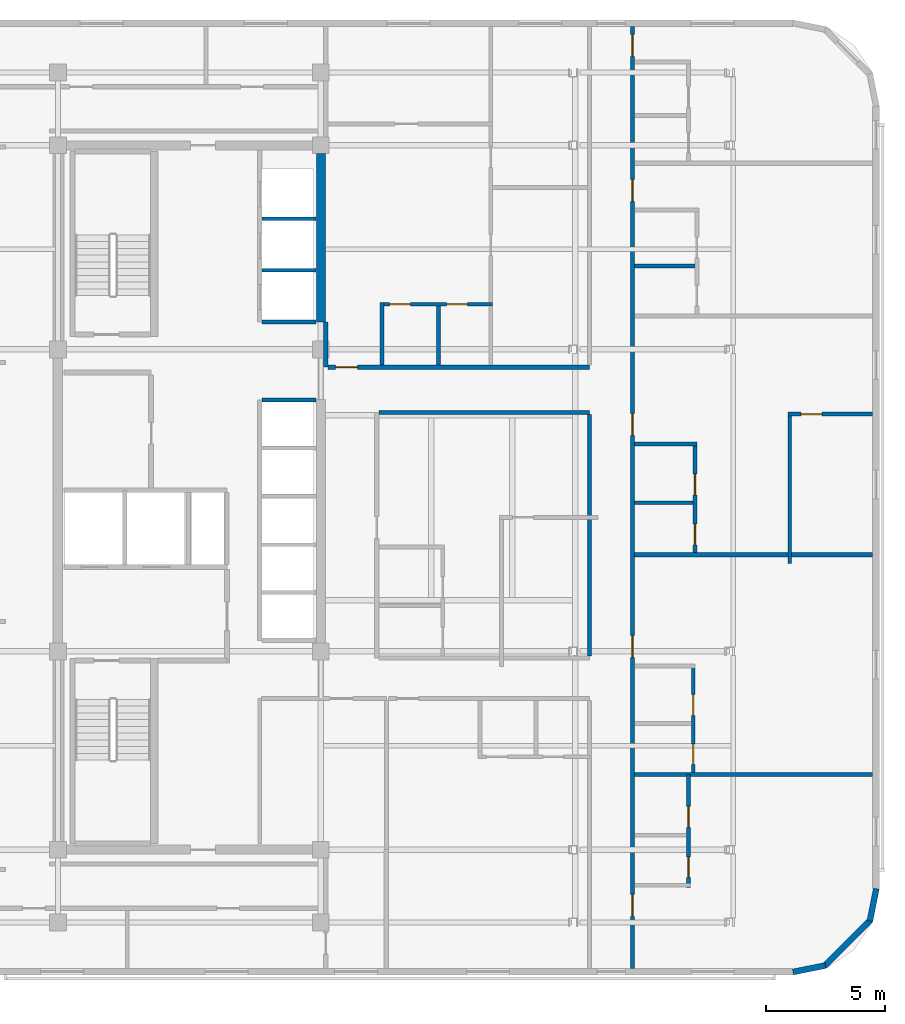
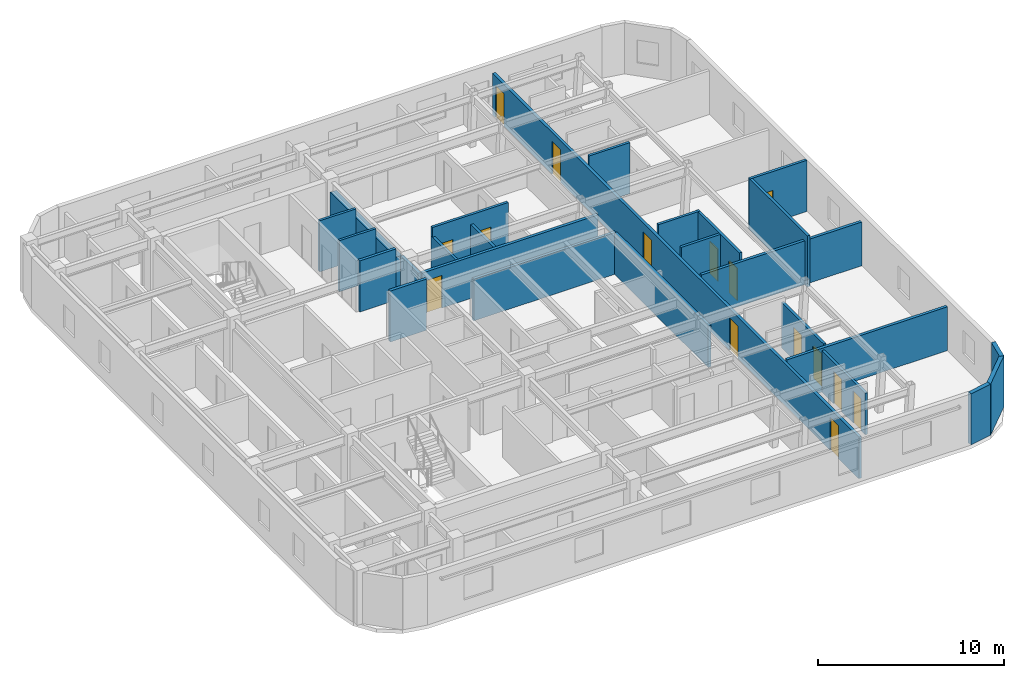
# One storey, part 5 of 10: 26 walls, 15 doors, 15 openings.
"""IFC4 building model written with IfcOpenShell, lengths in metres."""

import ifcopenshell
import ifcopenshell.guid

model = None  # the IFC model being written
_history = None  # IfcOwnerHistory: only IFC2X3 demands one
_inside = {}  # id of a spatial element -> (the spatial element, [elements in it])
_under = {}  # id of a project, library or spatial element -> (it, [spatial elements below it])
_declared = {}  # id of a project -> (the project, [libraries it declares])
_typed = {}  # id of a type object -> (the type object, [elements of that type])
_made_of = {}  # id of a material, layer set ... -> (it, [elements and type objects made of it])


def new_model(schema):
    """Start an empty IFC model of exactly this schema.

    Asked for "IFC4X3", IfcOpenShell would pick the latest addendum, in which some entities
    have other attributes; the version numbers below select the first issue.
    IFC2X3 requires an IfcOwnerHistory on every rooted entity: one is made here for all.
    """
    global model, _history
    if schema == "IFC4X3":
        model = ifcopenshell.file(schema_version=(4, 3, 0, 0))
    else:
        model = ifcopenshell.file(schema=schema)
    _inside.clear()
    _under.clear()
    _declared.clear()
    _typed.clear()
    _made_of.clear()
    _history = None
    if model.schema == "IFC2X3":
        org = make("IfcOrganization", Name="unknown")
        user = make(
            "IfcPersonAndOrganization",
            ThePerson=make("IfcPerson", FamilyName="unknown"),
            TheOrganization=org,
        )
        app = make(
            "IfcApplication",
            ApplicationDeveloper=org,
            Version="unknown",
            ApplicationFullName="unknown",
            ApplicationIdentifier="unknown",
        )
        _history = make(
            "IfcOwnerHistory",
            OwningUser=user,
            OwningApplication=app,
            ChangeAction="ADDED",
            CreationDate=0,
        )
    return model


def make(cls, **values):
    """One entity of the class cls with the attributes given. An attribute that is None is left unset."""
    return model.create_entity(
        cls, **{name: value for name, value in values.items() if value is not None}
    )


def rooted(cls, **values):
    """An entity with a GlobalId (a new one), such as an element, a storey or a relation."""
    return make(cls, GlobalId=ifcopenshell.guid.new(), OwnerHistory=_history, **values)


def si_unit(unit_type, name, prefix=None):
    """IfcSIUnit, for example si_unit("LENGTHUNIT", "METRE", prefix="MILLI")."""
    return make("IfcSIUnit", UnitType=unit_type, Prefix=prefix, Name=name)


def assignment(units):
    """IfcUnitAssignment: the units of a project."""
    return None if units is None else make("IfcUnitAssignment", Units=units)


def point(xyz):
    """IfcCartesianPoint."""
    return None if xyz is None else make("IfcCartesianPoint", Coordinates=xyz)


def direction(xyz):
    """IfcDirection."""
    return None if xyz is None else make("IfcDirection", DirectionRatios=xyz)


def frame(location, z_axis=None, x_axis=None):
    """IfcAxis2Placement3D, a coordinate frame: its origin and axes. An axis left out is left unset."""
    return make(
        "IfcAxis2Placement3D",
        Location=point(location),
        Axis=direction(z_axis),
        RefDirection=direction(x_axis),
    )


def frame_2d(location, x_axis=None):
    """IfcAxis2Placement2D, a coordinate frame in the plane: its origin and x axis."""
    return make(
        "IfcAxis2Placement2D", Location=point(location), RefDirection=direction(x_axis)
    )


def origin():
    """The frame at (0, 0, 0) with its axes left unset."""
    return frame((0.0, 0.0, 0.0))


def place(relative_to, where):
    """IfcLocalPlacement: puts the frame where relative to a parent placement (None: the world)."""
    return make(
        "IfcLocalPlacement", PlacementRelTo=relative_to, RelativePlacement=where
    )


def context(
    kind, dimensions, precision=None, world=None, true_north=None, identifier=None
):
    """IfcGeometricRepresentationContext, for example the 3D "Model" context."""
    return make(
        "IfcGeometricRepresentationContext",
        ContextIdentifier=identifier,
        ContextType=kind,
        CoordinateSpaceDimension=dimensions,
        Precision=precision,
        WorldCoordinateSystem=world,
        TrueNorth=true_north,
    )


def subcontext(parent, identifier, kind, view, scale=None):
    """IfcGeometricRepresentationSubContext, for example "Body" below "Model"."""
    return make(
        "IfcGeometricRepresentationSubContext",
        ContextIdentifier=identifier,
        ContextType=kind,
        ParentContext=parent,
        TargetScale=scale,
        TargetView=view,
    )


def project(units=None, contexts=None):
    """IfcProject with its units and contexts."""
    return rooted(
        "IfcProject",
        Name="project",
        RepresentationContexts=contexts,
        UnitsInContext=assignment(units),
    )


def spatial(cls, under=None, at=None, **own):
    """A site, building, storey or space (cls), placed at a placement, below another one or the project."""
    s = rooted(cls, ObjectPlacement=at, **own)
    if under is not None:
        _under.setdefault(under.id(), (under, []))[1].append(s)
    return s


def profile(cls, at=None, kind="AREA", **sizes):
    """A parametric profile (cls). Its sizes go by their IFC names, for example OverallWidth=200.0."""
    return make(cls, ProfileType=kind, Position=at, **sizes)


def rectangle(**sizes):
    """IfcRectangleProfileDef."""
    return profile("IfcRectangleProfileDef", **sizes)


def extrude(swept, where, along, depth):
    """IfcExtrudedAreaSolid: the profile swept, set in the frame where, extruded along a direction by depth."""
    return make(
        "IfcExtrudedAreaSolid",
        SweptArea=swept,
        Position=where,
        ExtrudedDirection=direction(along),
        Depth=depth,
    )


def shape(context_of_items, identifier, shape_type, items):
    """IfcShapeRepresentation: the items that make up one representation, for example the "Body"."""
    return make(
        "IfcShapeRepresentation",
        ContextOfItems=context_of_items,
        RepresentationIdentifier=identifier,
        RepresentationType=shape_type,
        Items=items,
    )


def material(Name=None, Category=None):
    """IfcMaterial."""
    return make("IfcMaterial", Name=Name, Category=Category)


def layer(
    of_material, thickness, ventilated=None, Name=None, Category=None, Priority=None
):
    """IfcMaterialLayer: one layer of a wall or slab, of a material (None: an air gap)."""
    return make(
        "IfcMaterialLayer",
        Material=of_material,
        LayerThickness=thickness,
        IsVentilated=ventilated,
        Name=Name,
        Category=Category,
        Priority=Priority,
    )


def layer_set(layers, Name=None):
    """IfcMaterialLayerSet."""
    return make("IfcMaterialLayerSet", MaterialLayers=layers, LayerSetName=Name)


def made_of(thing, what):
    """Note that an element or type object is made of a material, layer set ...; save() writes the relation."""
    if what is not None:
        _made_of.setdefault(what.id(), (what, []))[1].append(thing)
    return thing


def type_object(cls, material=None, **own):
    """A type object (cls), such as IfcWallType, which elements share."""
    return made_of(rooted(cls, **own), material)


def element(
    cls,
    number,
    at=None,
    inside=None,
    cuts=None,
    type_object=None,
    material=None,
    context=None,
    identifier="Body",
    shape_type=None,
    held_by="IfcProductDefinitionShape",
    body=None,
    shapes=None,
    **own,
):
    """One element of the class cls, such as IfcWall. Its Tag is "e" and its number.

    at: its placement. inside: the storey or other place that contains it. cuts: it is an
    opening in that element (IfcRelVoidsElement). A single representation is given by context,
    identifier, shape_type and body (its items); several are given by shapes. held_by: the class
    of the entity that holds the representations. save() writes the other relations.
    """
    e = rooted(cls, Tag="e%d" % number, ObjectPlacement=at, **own)
    if body is not None:
        shapes = [shape(context, identifier, shape_type, body)]
    if shapes is not None:
        e.Representation = make(held_by, Representations=shapes)
    if inside is not None:
        _inside.setdefault(inside.id(), (inside, []))[1].append(e)
    if cuts is not None:
        rooted(
            "IfcRelVoidsElement", RelatingBuildingElement=cuts, RelatedOpeningElement=e
        )
    if type_object is not None:
        _typed.setdefault(type_object.id(), (type_object, []))[1].append(e)
    return made_of(e, material)


def fill(opening, filler):
    """IfcRelFillsElement: the door or window that sits in an opening."""
    return rooted(
        "IfcRelFillsElement",
        RelatingOpeningElement=opening,
        RelatedBuildingElement=filler,
    )


def aggregate(whole, parts):
    """IfcRelAggregates: a whole, such as a stair, and the parts it consists of."""
    return rooted("IfcRelAggregates", RelatingObject=whole, RelatedObjects=parts)


def save(model, path):
    """Write the relations noted so far, then the file.

    IfcRelAggregates (storeys below a building ...), IfcRelContainedInSpatialStructure (elements
    in a storey), IfcRelDefinesByType, IfcRelAssociatesMaterial and IfcRelDeclares: one each for
    every whole, place, type object, material and project.
    """
    for whole, parts in _under.values():
        aggregate(whole, parts)
    for where, things in _inside.values():
        rooted(
            "IfcRelContainedInSpatialStructure",
            RelatedElements=things,
            RelatingStructure=where,
        )
    for kind, things in _typed.values():
        rooted("IfcRelDefinesByType", RelatedObjects=things, RelatingType=kind)
    for what, things in _made_of.values():
        rooted("IfcRelAssociatesMaterial", RelatedObjects=things, RelatingMaterial=what)
    for by, libraries in _declared.values():
        rooted("IfcRelDeclares", RelatingContext=by, RelatedDefinitions=libraries)
    model.write(path)


model = new_model("IFC4")

# Units and contexts
model_context = context("Model", 3, precision=1e-05, world=origin(), true_north=direction((0.0, 1.0)))
body_context = subcontext(model_context, "Body", "Model", "MODEL_VIEW")
ifc_project = project(units=[si_unit("LENGTHUNIT", "METRE"), si_unit("AREAUNIT", "SQUARE_METRE"), si_unit("VOLUMEUNIT", "CUBIC_METRE"), si_unit("PLANEANGLEUNIT", "RADIAN"), si_unit("MASSUNIT", "GRAM", prefix="KILO")], contexts=[model_context])

# Site, building, storey
site_placement = place(None, origin())
site = spatial("IfcSite", under=ifc_project, at=site_placement, CompositionType="ELEMENT")
building_placement = place(site_placement, origin())
building = spatial("IfcBuilding", under=site, at=building_placement, Name="Ochreholt Gables", CompositionType="ELEMENT")
storey_placement = place(building_placement, frame((0.0, 0.0, 166.199951171875)))
storey = spatial("IfcBuildingStorey", under=building, at=storey_placement, Name="L43", CompositionType="ELEMENT", Elevation=166.199951171875)

# Walls
ifc_material_1 = material(Name="Concrete 50 MPa", Category="concrete")
ifc_layer_1 = layer(ifc_material_1, 0.3798828125, Name="Concrete 50 MPa")
ifc_layer_set_1 = layer_set([ifc_layer_1], Name="Concrete 50 MPa")
wall_type_1 = type_object("IfcWallType", Name="WALL-CSW-380", PredefinedType="SHEAR", material=ifc_layer_set_1)
wall_1_placement = place(storey_placement, frame((35.2099609375, 31.35009765625, 0.0), z_axis=(0.0, 0.0, 1.0), x_axis=(0.0, 1.0, 0.0)))
element("IfcWall", 1, at=wall_1_placement, inside=storey, type_object=wall_type_1, Name="L43 Core North-East Shear Wall", PredefinedType="SHEAR", context=body_context, shape_type="SweptSolid", body=[
    extrude(rectangle(XDim=7.0498046875, YDim=0.3798828125, at=frame_2d((3.52490234375, 0.0))), origin(), (0.0, 0.0, 1.0), 2.748046875),
])
ifc_material_2 = material(Name="Precast concrete 40 MPa", Category="concrete")
ifc_layer_2 = layer(ifc_material_2, 0.25, Name="Precast concrete 40 MPa")
ifc_layer_set_2 = layer_set([ifc_layer_2], Name="Precast concrete 40 MPa")
wall_type_2 = type_object("IfcWallType", Name="WALL-EXT-CNR", PredefinedType="SOLIDWALL", material=ifc_layer_set_2)
wall_2_placement = place(storey_placement, frame((54.9833984375, 4.124267578125, 0.0), z_axis=(0.0, 0.0, 1.0), x_axis=(0.980809899341, 0.19496651342, 0.0)))
element("IfcWall", 2, at=wall_2_placement, inside=storey, type_object=wall_type_2, Name="L43 Rounded Corner Wall SE-1", PredefinedType="SOLIDWALL", context=body_context, shape_type="SweptSolid", body=[
    extrude(rectangle(XDim=1.388671875, YDim=0.25, at=frame_2d((0.6943359375, 0.0))), origin(), (0.0, 0.0, 1.0), 3.360107421875),
])
wall_3_placement = place(storey_placement, frame((56.294921875, 4.367919921875, 0.0), z_axis=(0.0, 0.0, 1.0), x_axis=(0.707106781187, 0.707106781187, 0.0)))
element("IfcWall", 3, at=wall_3_placement, inside=storey, type_object=wall_type_2, Name="L43 Rounded Corner Wall SE-2", PredefinedType="SOLIDWALL", context=body_context, shape_type="SweptSolid", body=[
    extrude(rectangle(XDim=2.7392578125, YDim=0.25, at=frame_2d((1.36962890625, 0.0))), origin(), (0.0, 0.0, 1.0), 3.360107421875),
])
wall_4_placement = place(storey_placement, frame((58.205078125, 6.25439453125, 0.0), z_axis=(0.0, 0.0, 1.0), x_axis=(0.19496651342, 0.980809899341, 0.0)))
element("IfcWall", 4, at=wall_4_placement, inside=storey, type_object=wall_type_2, Name="L43 Rounded Corner Wall SE-3", PredefinedType="SOLIDWALL", context=body_context, shape_type="SweptSolid", body=[
    extrude(rectangle(XDim=1.388671875, YDim=0.25, at=frame_2d((0.6943359375, 0.0))), origin(), (0.0, 0.0, 1.0), 3.360107421875),
])
ifc_material_3 = material(Name="Fire-Rated Gypsum Acoustic Partition", Category="gypsum")
ifc_layer_3 = layer(ifc_material_3, 0.179931640625, Name="Fire-Rated Gypsum Acoustic Partition")
ifc_layer_set_3 = layer_set([ifc_layer_3], Name="Fire-Rated Gypsum Acoustic Partition")
wall_type_3 = type_object("IfcWallType", Name="WALL-INT-CR180", PredefinedType="STANDARD", material=ifc_layer_set_3)
wall_5_placement = place(storey_placement, frame((37.639892578125, 27.56005859375, 0.0), z_axis=(0.0, 0.0, 1.0), x_axis=(1.0, 0.0, 0.0)))
element("IfcWall", 5, at=wall_5_placement, inside=storey, type_object=wall_type_3, Name="L43 Interior Wall WI-C2SN1-L43", PredefinedType="STANDARD", context=body_context, shape_type="SweptSolid", body=[
    extrude(rectangle(XDim=8.826171875, YDim=0.179931640625, at=frame_2d((4.4130859375, 0.0))), origin(), (0.0, 0.0, 1.0), 2.72998046875),
])
wall_6_placement = place(storey_placement, frame((35.419921875, 29.4599609375, 0.0), z_axis=(0.0, 0.0, 1.0), x_axis=(0.0, 1.0, 0.0)))
element("IfcWall", 6, at=wall_6_placement, inside=storey, type_object=wall_type_3, Name="L43 Interior Wall WI-C2NCL-L43", PredefinedType="STANDARD", context=body_context, shape_type="SweptSolid", body=[
    extrude(rectangle(XDim=1.89013671875, YDim=0.179931640625, at=frame_2d((0.945068359375, 0.0))), origin(), (0.0, 0.0, 1.0), 2.72998046875),
])

# Wall, opening, door
wall_7_placement = place(storey_placement, frame((35.510009765625, 29.4599609375, 0.0), z_axis=(0.0, 0.0, 1.0), x_axis=(1.0, 0.0, 0.0)))
wall_7 = element("IfcWall", 7, at=wall_7_placement, inside=storey, type_object=wall_type_3, Name="L43 Interior Wall WI-C2SN2-L43", PredefinedType="STANDARD", context=body_context, shape_type="SweptSolid", body=[
    extrude(rectangle(XDim=10.9560546875, YDim=0.179931640625, at=frame_2d((5.47802734375, 0.0))), origin(), (0.0, 0.0, 1.0), 2.72998046875),
])
opening_1_placement = place(wall_7_placement, frame((0.320068359375, 0.0, 0.0)))
opening_1 = element("IfcOpeningElement", 8, at=opening_1_placement, cuts=wall_7, Name="Opening D-UN1", PredefinedType="OPENING", context=body_context, shape_type="SweptSolid", body=[
    extrude(rectangle(XDim=0.919921875, YDim=2.14990234375, at=frame_2d((0.4599609375, 1.074951171875))), frame((0.0, 0.099853515625, 0.0), z_axis=(0.0, -1.0, 0.0), x_axis=(1.0, 0.0, 0.0)), (0.0, 0.0, 1.0), 0.199951171875),
])
ifc_material_4 = material(Name="Engineered Oak Timber", Category="wood")
door_type_1 = type_object("IfcDoorType", Name="DR-INT-UNT920", OperationType="NOTDEFINED", PredefinedType="DOOR", material=ifc_material_4)
door_1_placement = place(opening_1_placement, origin())
door_1 = element("IfcDoor", 9, at=door_1_placement, inside=storey, type_object=door_type_1, Name="L43 Door D-U-L43N1-ENT", OperationType="SINGLE_SWING_LEFT", OverallHeight=2.14990234375, OverallWidth=0.919921875, PredefinedType="DOOR", context=body_context, shape_type="SweptSolid", body=[
    extrude(rectangle(XDim=0.919921875, YDim=2.14990234375, at=frame_2d((0.4599609375, 1.074951171875))), frame((0.0, 0.02490234375, 0.0), z_axis=(0.0, -1.0, 0.0), x_axis=(1.0, 0.0, 0.0)), (0.0, 0.0, 1.0), 0.050048828125),
])
fill(opening_1, door_1)

# Wall, openings, doors
wall_8_placement = place(storey_placement, frame((48.26611328125, 4.280029296875, 0.0), z_axis=(0.0, 0.0, 1.0), x_axis=(0.0, 1.0, 0.0)))
wall_8 = element("IfcWall", 10, at=wall_8_placement, inside=storey, type_object=wall_type_3, Name="L43 Interior Wall WI-C2FEG-L43", PredefinedType="STANDARD", context=body_context, shape_type="SweptSolid", body=[
    extrude(rectangle(XDim=39.43994140625, YDim=0.179931640625, at=frame_2d((19.719970703125, 0.0))), origin(), (0.0, 0.0, 1.0), 2.72998046875),
])
opening_2_placement = place(wall_8_placement, frame((2.179931640625, 0.0, 0.0)))
opening_2 = element("IfcOpeningElement", 11, at=opening_2_placement, cuts=wall_8, Name="Opening D-UN1", PredefinedType="OPENING", context=body_context, shape_type="SweptSolid", body=[
    extrude(rectangle(XDim=0.919921875, YDim=2.14990234375, at=frame_2d((0.4599609375, 1.074951171875))), frame((0.0, 0.099853515625, 0.0), z_axis=(0.0, -1.0, 0.0), x_axis=(1.0, 0.0, 0.0)), (0.0, 0.0, 1.0), 0.199951171875),
])
opening_3_placement = place(wall_8_placement, frame((13.02001953125, 0.0, 0.0)))
opening_3 = element("IfcOpeningElement", 12, at=opening_3_placement, cuts=wall_8, Name="Opening D-UN1", PredefinedType="OPENING", context=body_context, shape_type="SweptSolid", body=[
    extrude(rectangle(XDim=0.919921875, YDim=2.14990234375, at=frame_2d((0.4599609375, 1.074951171875))), frame((0.0, 0.099853515625, 0.0), z_axis=(0.0, -1.0, 0.0), x_axis=(1.0, 0.0, 0.0)), (0.0, 0.0, 1.0), 0.199951171875),
])
opening_4_placement = place(wall_8_placement, frame((22.320068359375, 0.0, 0.0)))
opening_4 = element("IfcOpeningElement", 13, at=opening_4_placement, cuts=wall_8, Name="Opening D-UN1", PredefinedType="OPENING", context=body_context, shape_type="SweptSolid", body=[
    extrude(rectangle(XDim=0.919921875, YDim=2.14990234375, at=frame_2d((0.4599609375, 1.074951171875))), frame((0.0, 0.099853515625, 0.0), z_axis=(0.0, -1.0, 0.0), x_axis=(1.0, 0.0, 0.0)), (0.0, 0.0, 1.0), 0.199951171875),
])
opening_5_placement = place(wall_8_placement, frame((32.1201171875, 0.0, 0.0)))
opening_5 = element("IfcOpeningElement", 14, at=opening_5_placement, cuts=wall_8, Name="Opening D-UN1", PredefinedType="OPENING", context=body_context, shape_type="SweptSolid", body=[
    extrude(rectangle(XDim=0.919921875, YDim=2.14990234375, at=frame_2d((0.4599609375, 1.074951171875))), frame((0.0, 0.099853515625, 0.0), z_axis=(0.0, -1.0, 0.0), x_axis=(1.0, 0.0, 0.0)), (0.0, 0.0, 1.0), 0.199951171875),
])
opening_6_placement = place(wall_8_placement, frame((38.199951171875, 0.0, 0.0)))
opening_6 = element("IfcOpeningElement", 15, at=opening_6_placement, cuts=wall_8, Name="Opening D-UN1", PredefinedType="OPENING", context=body_context, shape_type="SweptSolid", body=[
    extrude(rectangle(XDim=0.919921875, YDim=2.14990234375, at=frame_2d((0.4599609375, 1.074951171875))), frame((0.0, 0.099853515625, 0.0), z_axis=(0.0, -1.0, 0.0), x_axis=(1.0, 0.0, 0.0)), (0.0, 0.0, 1.0), 0.199951171875),
])
door_2_placement = place(opening_2_placement, origin())
door_2 = element("IfcDoor", 16, at=door_2_placement, inside=storey, type_object=door_type_1, Name="L43 Door D-U-L43FE1-ENT", OperationType="SINGLE_SWING_LEFT", OverallHeight=2.14990234375, OverallWidth=0.919921875, PredefinedType="DOOR", context=body_context, shape_type="SweptSolid", body=[
    extrude(rectangle(XDim=0.919921875, YDim=2.14990234375, at=frame_2d((0.4599609375, 1.074951171875))), frame((0.0, 0.02490234375, 0.0), z_axis=(0.0, -1.0, 0.0), x_axis=(1.0, 0.0, 0.0)), (0.0, 0.0, 1.0), 0.050048828125),
])
fill(opening_2, door_2)
door_3_placement = place(opening_3_placement, origin())
door_3 = element("IfcDoor", 17, at=door_3_placement, inside=storey, type_object=door_type_1, Name="L43 Door D-U-L43FE2-ENT", OperationType="SINGLE_SWING_RIGHT", OverallHeight=2.14990234375, OverallWidth=0.919921875, PredefinedType="DOOR", context=body_context, shape_type="SweptSolid", body=[
    extrude(rectangle(XDim=0.919921875, YDim=2.14990234375, at=frame_2d((0.4599609375, 1.074951171875))), frame((0.0, 0.02490234375, 0.0), z_axis=(0.0, -1.0, 0.0), x_axis=(1.0, 0.0, 0.0)), (0.0, 0.0, 1.0), 0.050048828125),
])
fill(opening_3, door_3)
door_4_placement = place(opening_4_placement, origin())
door_4 = element("IfcDoor", 18, at=door_4_placement, inside=storey, type_object=door_type_1, Name="L43 Door D-U-L43FE3-ENT", OperationType="SINGLE_SWING_LEFT", OverallHeight=2.14990234375, OverallWidth=0.919921875, PredefinedType="DOOR", context=body_context, shape_type="SweptSolid", body=[
    extrude(rectangle(XDim=0.919921875, YDim=2.14990234375, at=frame_2d((0.4599609375, 1.074951171875))), frame((0.0, 0.02490234375, 0.0), z_axis=(0.0, -1.0, 0.0), x_axis=(1.0, 0.0, 0.0)), (0.0, 0.0, 1.0), 0.050048828125),
])
fill(opening_4, door_4)
door_5_placement = place(opening_5_placement, origin())
door_5 = element("IfcDoor", 19, at=door_5_placement, inside=storey, type_object=door_type_1, Name="L43 Door D-U-L43FE4-ENT", OperationType="SINGLE_SWING_RIGHT", OverallHeight=2.14990234375, OverallWidth=0.919921875, PredefinedType="DOOR", context=body_context, shape_type="SweptSolid", body=[
    extrude(rectangle(XDim=0.919921875, YDim=2.14990234375, at=frame_2d((0.4599609375, 1.074951171875))), frame((0.0, 0.02490234375, 0.0), z_axis=(0.0, -1.0, 0.0), x_axis=(1.0, 0.0, 0.0)), (0.0, 0.0, 1.0), 0.050048828125),
])
fill(opening_5, door_5)
door_6_placement = place(opening_6_placement, origin())
door_6 = element("IfcDoor", 20, at=door_6_placement, inside=storey, type_object=door_type_1, Name="L43 Door D-U-L43FE5-ENT", OperationType="SINGLE_SWING_LEFT", OverallHeight=2.14990234375, OverallWidth=0.919921875, PredefinedType="DOOR", context=body_context, shape_type="SweptSolid", body=[
    extrude(rectangle(XDim=0.919921875, YDim=2.14990234375, at=frame_2d((0.4599609375, 1.074951171875))), frame((0.0, 0.02490234375, 0.0), z_axis=(0.0, -1.0, 0.0), x_axis=(1.0, 0.0, 0.0)), (0.0, 0.0, 1.0), 0.050048828125),
])
fill(opening_6, door_6)

# Walls
wall_9_placement = place(storey_placement, frame((46.466064453125, 17.3701171875, 0.0), z_axis=(0.0, 0.0, 1.0), x_axis=(0.0, 1.0, 0.0)))
element("IfcWall", 21, at=wall_9_placement, inside=storey, type_object=wall_type_3, Name="L43 Interior Wall WI-C2FEGW2-L43", PredefinedType="STANDARD", context=body_context, shape_type="SweptSolid", body=[
    extrude(rectangle(XDim=10.099853515625, YDim=0.179931640625, at=frame_2d((5.0498046875, 0.0))), origin(), (0.0, 0.0, 1.0), 2.72998046875),
])
ifc_material_5 = material(Name="Double-Stud Acoustic Demising Wall", Category="gypsum")
ifc_layer_4 = layer(ifc_material_5, 0.179931640625, Name="Double-Stud Acoustic Demising Wall")
ifc_layer_set_4 = layer_set([ifc_layer_4], Name="Double-Stud Acoustic Demising Wall")
wall_type_4 = type_object("IfcWallType", Name="WALL-INT-DM180", PredefinedType="PARTITIONING", material=ifc_layer_set_4)
for number, where, z_axis, x_axis, name in (
    (22, (48.35595703125, 12.39990234375, 0.0), (0.0, 0.0, 1.0), (1.0, 0.0, 0.0), "L43 Interior Wall WI-C2FED2-L43"),
    (23, (48.35595703125, 21.60009765625, 0.0), (0.0, 0.0, 1.0), (1.0, 0.0, 0.0), "L43 Interior Wall WI-C2FED3-L43"),
):
    element("IfcWall", number, at=place(storey_placement, frame(where, z_axis=z_axis, x_axis=x_axis)), inside=storey, type_object=wall_type_4, Name=name, PredefinedType="PARTITIONING", context=body_context, shape_type="SweptSolid", body=[
        extrude(rectangle(XDim=9.964111328125, YDim=0.179931640625, at=frame_2d((4.98193359375, 0.0))), origin(), (0.0, 0.0, 1.0), 2.879150390625),
    ])

# Wall, openings, doors
ifc_material_6 = material(Name="Moisture-Resistant Plumbing Chase Wall", Category="gypsum")
ifc_layer_5 = layer(ifc_material_6, 0.159912109375, Name="Moisture-Resistant Plumbing Chase Wall")
ifc_layer_set_5 = layer_set([ifc_layer_5], Name="Moisture-Resistant Plumbing Chase Wall")
wall_type_5 = type_object("IfcWallType", Name="WALL-INT-PL160", PredefinedType="PLUMBINGWALL", material=ifc_layer_set_5)
wall_10_placement = place(storey_placement, frame((37.696044921875, 32.094970703125, 0.0), z_axis=(0.0, 0.0, 1.0), x_axis=(1.0, 0.0, 0.0)))
wall_10 = element("IfcWall", 24, at=wall_10_placement, inside=storey, type_object=wall_type_5, Name="L43 Interior Wall WU-L43N1-WY", PredefinedType="PLUMBINGWALL", context=body_context, shape_type="SweptSolid", body=[
    extrude(rectangle(XDim=4.7099609375, YDim=0.159912109375, at=frame_2d((2.35498046875, 0.0))), origin(), (0.0, 0.0, 1.0), 3.360107421875),
])
opening_7_placement = place(wall_10_placement, frame((0.3798828125, 0.0, 0.0)))
opening_7 = element("IfcOpeningElement", 25, at=opening_7_placement, cuts=wall_10, Name="Opening D-GN2", PredefinedType="OPENING", context=body_context, shape_type="SweptSolid", body=[
    extrude(rectangle(XDim=0.8798828125, YDim=2.1201171875, at=frame_2d((0.43994140625, 1.06005859375))), frame((0.0, 0.08984375, 0.0), z_axis=(0.0, -1.0, 0.0), x_axis=(1.0, 0.0, 0.0)), (0.0, 0.0, 1.0), 0.179931640625),
])
opening_8_placement = place(wall_10_placement, frame((2.785888671875, 0.0, 0.0)))
opening_8 = element("IfcOpeningElement", 26, at=opening_8_placement, cuts=wall_10, Name="Opening D-BT1", PredefinedType="OPENING", context=body_context, shape_type="SweptSolid", body=[
    extrude(rectangle(XDim=0.860107421875, YDim=2.1201171875, at=frame_2d((0.43017578125, 1.06005859375))), frame((0.0, 0.08984375, 0.0), z_axis=(0.0, -1.0, 0.0), x_axis=(1.0, 0.0, 0.0)), (0.0, 0.0, 1.0), 0.179931640625),
])
door_type_2 = type_object("IfcDoorType", Name="DR-INT-BTH860", OperationType="NOTDEFINED", PredefinedType="DOOR", material=ifc_material_4)
door_7_placement = place(opening_8_placement, origin())
door_7 = element("IfcDoor", 27, at=door_7_placement, inside=storey, type_object=door_type_2, Name="L43 Door D-U-L43N1-BTH", OperationType="SINGLE_SWING_LEFT", OverallHeight=2.1201171875, OverallWidth=0.860107421875, PredefinedType="DOOR", context=body_context, shape_type="SweptSolid", body=[
    extrude(rectangle(XDim=0.860107421875, YDim=2.1201171875, at=frame_2d((0.43017578125, 1.06005859375))), frame((0.0, 0.02490234375, 0.0), z_axis=(0.0, -1.0, 0.0), x_axis=(1.0, 0.0, 0.0)), (0.0, 0.0, 1.0), 0.050048828125),
])
fill(opening_8, door_7)
door_type_3 = type_object("IfcDoorType", Name="DR-INT-GEN880", OperationType="NOTDEFINED", PredefinedType="DOOR", material=ifc_material_4)
door_8_placement = place(opening_7_placement, origin())
door_8 = element("IfcDoor", 28, at=door_8_placement, inside=storey, type_object=door_type_3, Name="L43 Door D-U-L43N1-KIT", OperationType="SINGLE_SWING_RIGHT", OverallHeight=2.1201171875, OverallWidth=0.8798828125, PredefinedType="DOOR", context=body_context, shape_type="SweptSolid", body=[
    extrude(rectangle(XDim=0.8798828125, YDim=2.1201171875, at=frame_2d((0.43994140625, 1.06005859375))), frame((0.0, 0.02490234375, 0.0), z_axis=(0.0, -1.0, 0.0), x_axis=(1.0, 0.0, 0.0)), (0.0, 0.0, 1.0), 0.050048828125),
])
fill(opening_7, door_8)

# Walls
wall_11_placement = place(storey_placement, frame((37.77587890625, 29.550048828125, 0.0), z_axis=(0.0, 0.0, 1.0), x_axis=(0.0, 1.0, 0.0)))
element("IfcWall", 29, at=wall_11_placement, inside=storey, type_object=wall_type_5, Name="L43 Interior Wall WU-L43N1-FY", PredefinedType="PLUMBINGWALL", context=body_context, shape_type="SweptSolid", body=[
    extrude(rectangle(XDim=2.625, YDim=0.159912109375, at=frame_2d((1.3125, 0.0))), origin(), (0.0, 0.0, 1.0), 2.72998046875),
])
wall_12_placement = place(storey_placement, frame((40.14208984375, 29.550048828125, 0.0), z_axis=(0.0, 0.0, 1.0), x_axis=(0.0, 1.0, 0.0)))
element("IfcWall", 30, at=wall_12_placement, inside=storey, type_object=wall_type_5, Name="L43 Interior Wall WU-L43N1-WK", PredefinedType="PLUMBINGWALL", context=body_context, shape_type="SweptSolid", body=[
    extrude(rectangle(XDim=2.46484375, YDim=0.159912109375, at=frame_2d((1.232421875, 0.0))), origin(), (0.0, 0.0, 1.0), 2.72998046875),
])

# Wall, openings, doors
wall_13_placement = place(storey_placement, frame((50.60595703125, 7.669921875, 0.0), z_axis=(0.0, 0.0, 1.0), x_axis=(0.0, 1.0, 0.0)))
wall_13 = element("IfcWall", 31, at=wall_13_placement, inside=storey, type_object=wall_type_5, Name="L43 Interior Wall WU-L43FE1-WX", PredefinedType="PLUMBINGWALL", context=body_context, shape_type="SweptSolid", body=[
    extrude(rectangle(XDim=4.72998046875, YDim=0.159912109375, at=frame_2d((2.364990234375, 0.0))), origin(), (0.0, 0.0, 1.0), 2.72998046875),
])
opening_9_placement = place(wall_13_placement, frame((0.419921875, 0.0, 0.0)))
opening_9 = element("IfcOpeningElement", 32, at=opening_9_placement, cuts=wall_13, Name="Opening D-BT1", PredefinedType="OPENING", context=body_context, shape_type="SweptSolid", body=[
    extrude(rectangle(XDim=0.860107421875, YDim=2.1201171875, at=frame_2d((0.43017578125, 1.06005859375))), frame((0.0, 0.08984375, 0.0), z_axis=(0.0, -1.0, 0.0), x_axis=(1.0, 0.0, 0.0)), (0.0, 0.0, 1.0), 0.179931640625),
])
opening_10_placement = place(wall_13_placement, frame((2.512939453125, 0.0, 0.0)))
opening_10 = element("IfcOpeningElement", 33, at=opening_10_placement, cuts=wall_13, Name="Opening D-GN2", PredefinedType="OPENING", context=body_context, shape_type="SweptSolid", body=[
    extrude(rectangle(XDim=0.8798828125, YDim=2.1201171875, at=frame_2d((0.43994140625, 1.06005859375))), frame((0.0, 0.08984375, 0.0), z_axis=(0.0, -1.0, 0.0), x_axis=(1.0, 0.0, 0.0)), (0.0, 0.0, 1.0), 0.179931640625),
])
door_9_placement = place(opening_9_placement, origin())
door_9 = element("IfcDoor", 34, at=door_9_placement, inside=storey, type_object=door_type_2, Name="L43 Door D-U-L43FE1-BTH", OperationType="SINGLE_SWING_RIGHT", OverallHeight=2.1201171875, OverallWidth=0.860107421875, PredefinedType="DOOR", context=body_context, shape_type="SweptSolid", body=[
    extrude(rectangle(XDim=0.860107421875, YDim=2.1201171875, at=frame_2d((0.43017578125, 1.06005859375))), frame((0.0, 0.02490234375, 0.0), z_axis=(0.0, -1.0, 0.0), x_axis=(1.0, 0.0, 0.0)), (0.0, 0.0, 1.0), 0.050048828125),
])
fill(opening_9, door_9)
door_10_placement = place(opening_10_placement, origin())
door_10 = element("IfcDoor", 35, at=door_10_placement, inside=storey, type_object=door_type_3, Name="L43 Door D-U-L43FE1-KIT", OperationType="SINGLE_SWING_LEFT", OverallHeight=2.1201171875, OverallWidth=0.8798828125, PredefinedType="DOOR", context=body_context, shape_type="SweptSolid", body=[
    extrude(rectangle(XDim=0.8798828125, YDim=2.1201171875, at=frame_2d((0.43994140625, 1.06005859375))), frame((0.0, 0.02490234375, 0.0), z_axis=(0.0, -1.0, 0.0), x_axis=(1.0, 0.0, 0.0)), (0.0, 0.0, 1.0), 0.050048828125),
])
fill(opening_10, door_10)

wall_14_placement = place(storey_placement, frame((50.805908203125, 12.489990234375, 0.0), z_axis=(0.0, 0.0, 1.0), x_axis=(0.0, 1.0, 0.0)))
wall_14 = element("IfcWall", 36, at=wall_14_placement, inside=storey, type_object=wall_type_5, Name="L43 Interior Wall WU-L43FE2-WX", PredefinedType="PLUMBINGWALL", context=body_context, shape_type="SweptSolid", body=[
    extrude(rectangle(XDim=4.5400390625, YDim=0.159912109375, at=frame_2d((2.27001953125, 0.0))), origin(), (0.0, 0.0, 1.0), 2.984130859375),
])
opening_11_placement = place(wall_14_placement, frame((0.330078125, 0.0, 0.0)))
opening_11 = element("IfcOpeningElement", 37, at=opening_11_placement, cuts=wall_14, Name="Opening D-BT1", PredefinedType="OPENING", context=body_context, shape_type="SweptSolid", body=[
    extrude(rectangle(XDim=0.860107421875, YDim=2.1201171875, at=frame_2d((0.43017578125, 1.06005859375))), frame((0.0, 0.08984375, 0.0), z_axis=(0.0, -1.0, 0.0), x_axis=(1.0, 0.0, 0.0)), (0.0, 0.0, 1.0), 0.179931640625),
])
opening_12_placement = place(wall_14_placement, frame((2.376953125, 0.0, 0.0)))
opening_12 = element("IfcOpeningElement", 38, at=opening_12_placement, cuts=wall_14, Name="Opening D-GN2", PredefinedType="OPENING", context=body_context, shape_type="SweptSolid", body=[
    extrude(rectangle(XDim=0.8798828125, YDim=2.1201171875, at=frame_2d((0.43994140625, 1.06005859375))), frame((0.0, 0.08984375, 0.0), z_axis=(0.0, -1.0, 0.0), x_axis=(1.0, 0.0, 0.0)), (0.0, 0.0, 1.0), 0.179931640625),
])
door_11_placement = place(opening_11_placement, origin())
door_11 = element("IfcDoor", 39, at=door_11_placement, inside=storey, type_object=door_type_2, Name="L43 Door D-U-L43FE2-BTH", OperationType="SINGLE_SWING_LEFT", OverallHeight=2.1201171875, OverallWidth=0.860107421875, PredefinedType="DOOR", context=body_context, shape_type="SweptSolid", body=[
    extrude(rectangle(XDim=0.860107421875, YDim=2.1201171875, at=frame_2d((0.43017578125, 1.06005859375))), frame((0.0, 0.02490234375, 0.0), z_axis=(0.0, -1.0, 0.0), x_axis=(1.0, 0.0, 0.0)), (0.0, 0.0, 1.0), 0.050048828125),
])
fill(opening_11, door_11)
door_12_placement = place(opening_12_placement, origin())
door_12 = element("IfcDoor", 40, at=door_12_placement, inside=storey, type_object=door_type_3, Name="L43 Door D-U-L43FE2-KIT", OperationType="SINGLE_SWING_RIGHT", OverallHeight=2.1201171875, OverallWidth=0.8798828125, PredefinedType="DOOR", context=body_context, shape_type="SweptSolid", body=[
    extrude(rectangle(XDim=0.8798828125, YDim=2.1201171875, at=frame_2d((0.43994140625, 1.06005859375))), frame((0.0, 0.02490234375, 0.0), z_axis=(0.0, -1.0, 0.0), x_axis=(1.0, 0.0, 0.0)), (0.0, 0.0, 1.0), 0.050048828125),
])
fill(opening_12, door_12)

# Wall
wall_15_placement = place(storey_placement, frame((48.35595703125, 26.239990234375, 0.0), z_axis=(0.0, 0.0, 1.0), x_axis=(1.0, 0.0, 0.0)))
element("IfcWall", 41, at=wall_15_placement, inside=storey, type_object=wall_type_5, Name="L43 Interior Wall WU-L43FE3-WYN", PredefinedType="PLUMBINGWALL", context=body_context, shape_type="SweptSolid", body=[
    extrude(rectangle(XDim=2.60595703125, YDim=0.159912109375, at=frame_2d((1.302978515625, 0.0))), origin(), (0.0, 0.0, 1.0), 3.360107421875),
])

# Wall, openings, doors
wall_16_placement = place(storey_placement, frame((50.882080078125, 21.68994140625, 0.0), z_axis=(0.0, 0.0, 1.0), x_axis=(0.0, 1.0, 0.0)))
wall_16 = element("IfcWall", 42, at=wall_16_placement, inside=storey, type_object=wall_type_5, Name="L43 Interior Wall WU-L43FE3-WX", PredefinedType="PLUMBINGWALL", context=body_context, shape_type="SweptSolid", body=[
    extrude(rectangle(XDim=4.64013671875, YDim=0.159912109375, at=frame_2d((2.320068359375, 0.0))), origin(), (0.0, 0.0, 1.0), 3.360107421875),
])
opening_13_placement = place(wall_16_placement, frame((0.330078125, 0.0, 0.0)))
opening_13 = element("IfcOpeningElement", 43, at=opening_13_placement, cuts=wall_16, Name="Opening D-BT1", PredefinedType="OPENING", context=body_context, shape_type="SweptSolid", body=[
    extrude(rectangle(XDim=0.860107421875, YDim=2.1201171875, at=frame_2d((0.43017578125, 1.06005859375))), frame((0.0, 0.08984375, 0.0), z_axis=(0.0, -1.0, 0.0), x_axis=(1.0, 0.0, 0.0)), (0.0, 0.0, 1.0), 0.179931640625),
])
opening_14_placement = place(wall_16_placement, frame((2.423095703125, 0.0, 0.0)))
opening_14 = element("IfcOpeningElement", 44, at=opening_14_placement, cuts=wall_16, Name="Opening D-GN2", PredefinedType="OPENING", context=body_context, shape_type="SweptSolid", body=[
    extrude(rectangle(XDim=0.8798828125, YDim=2.1201171875, at=frame_2d((0.43994140625, 1.06005859375))), frame((0.0, 0.08984375, 0.0), z_axis=(0.0, -1.0, 0.0), x_axis=(1.0, 0.0, 0.0)), (0.0, 0.0, 1.0), 0.179931640625),
])
door_13_placement = place(opening_13_placement, origin())
door_13 = element("IfcDoor", 45, at=door_13_placement, inside=storey, type_object=door_type_2, Name="L43 Door D-U-L43FE3-BTH", OperationType="SINGLE_SWING_RIGHT", OverallHeight=2.1201171875, OverallWidth=0.860107421875, PredefinedType="DOOR", context=body_context, shape_type="SweptSolid", body=[
    extrude(rectangle(XDim=0.860107421875, YDim=2.1201171875, at=frame_2d((0.43017578125, 1.06005859375))), frame((0.0, 0.02490234375, 0.0), z_axis=(0.0, -1.0, 0.0), x_axis=(1.0, 0.0, 0.0)), (0.0, 0.0, 1.0), 0.050048828125),
])
fill(opening_13, door_13)
door_14_placement = place(opening_14_placement, origin())
door_14 = element("IfcDoor", 46, at=door_14_placement, inside=storey, type_object=door_type_3, Name="L43 Door D-U-L43FE3-KIT", OperationType="SINGLE_SWING_LEFT", OverallHeight=2.1201171875, OverallWidth=0.8798828125, PredefinedType="DOOR", context=body_context, shape_type="SweptSolid", body=[
    extrude(rectangle(XDim=0.8798828125, YDim=2.1201171875, at=frame_2d((0.43994140625, 1.06005859375))), frame((0.0, 0.02490234375, 0.0), z_axis=(0.0, -1.0, 0.0), x_axis=(1.0, 0.0, 0.0)), (0.0, 0.0, 1.0), 0.050048828125),
])
fill(opening_14, door_14)

# Walls
wall_17_placement = place(storey_placement, frame((48.35595703125, 23.782958984375, 0.0), z_axis=(0.0, 0.0, 1.0), x_axis=(1.0, 0.0, 0.0)))
element("IfcWall", 47, at=wall_17_placement, inside=storey, type_object=wall_type_5, Name="L43 Interior Wall WU-L43FE3-WM", PredefinedType="PLUMBINGWALL", context=body_context, shape_type="SweptSolid", body=[
    extrude(rectangle(XDim=2.446044921875, YDim=0.159912109375, at=frame_2d((1.22314453125, 0.0))), origin(), (0.0, 0.0, 1.0), 3.360107421875),
])
wall_18_placement = place(storey_placement, frame((48.35595703125, 33.69091796875, 0.0), z_axis=(0.0, 0.0, 1.0), x_axis=(1.0, 0.0, 0.0)))
element("IfcWall", 48, at=wall_18_placement, inside=storey, type_object=wall_type_5, Name="L43 Interior Wall WU-L43FE4-WM", PredefinedType="PLUMBINGWALL", context=body_context, shape_type="SweptSolid", body=[
    extrude(rectangle(XDim=2.52197265625, YDim=0.159912109375, at=frame_2d((1.260986328125, 0.0))), origin(), (0.0, 0.0, 1.0), 3.360107421875),
])
ifc_material_7 = material(Name="Gypsum Acoustic Stud Partition", Category="gypsum")
ifc_layer_6 = layer(ifc_material_7, 0.1650390625, Name="Gypsum Acoustic Stud Partition")
ifc_layer_set_6 = layer_set([ifc_layer_6], Name="Gypsum Acoustic Stud Partition")
wall_type_6 = type_object("IfcWallType", Name="WALL-INT-PT165", PredefinedType="PARTITIONING", material=ifc_layer_set_6)
wall_19_placement = place(storey_placement, frame((54.85009765625, 21.239990234375, 0.0), z_axis=(0.0, 0.0, 1.0), x_axis=(0.0, 1.0, 0.0)))
element("IfcWall", 49, at=wall_19_placement, inside=storey, type_object=wall_type_6, Name="L43 Interior Wall WU-L43FE3-STW", PredefinedType="PARTITIONING", context=body_context, shape_type="SweptSolid", body=[
    extrude(rectangle(XDim=6.25, YDim=0.1650390625, at=frame_2d((3.125, 0.0))), origin(), (0.0, 0.0, 1.0), 3.360107421875),
])

# Wall, opening, door
wall_20_placement = place(storey_placement, frame((54.77001953125, 27.489990234375, 0.0), z_axis=(0.0, 0.0, 1.0), x_axis=(1.0, 0.0, 0.0)))
wall_20 = element("IfcWall", 50, at=wall_20_placement, inside=storey, type_object=wall_type_6, Name="L43 Interior Wall WU-L43FE3-STN", PredefinedType="PARTITIONING", context=body_context, shape_type="SweptSolid", body=[
    extrude(rectangle(XDim=3.550048828125, YDim=0.1650390625, at=frame_2d((1.77490234375, 0.0))), origin(), (0.0, 0.0, 1.0), 3.360107421875),
])
opening_15_placement = place(wall_20_placement, frame((0.550048828125, 0.0, 0.0)))
opening_15 = element("IfcOpeningElement", 51, at=opening_15_placement, cuts=wall_20, Name="Opening D-GN2", PredefinedType="OPENING", context=body_context, shape_type="SweptSolid", body=[
    extrude(rectangle(XDim=0.8798828125, YDim=2.1201171875, at=frame_2d((0.43994140625, 1.06005859375))), frame((0.0, 0.092529296875, 0.0), z_axis=(0.0, -1.0, 0.0), x_axis=(1.0, 0.0, 0.0)), (0.0, 0.0, 1.0), 0.18505859375),
])
door_15_placement = place(opening_15_placement, origin())
door_15 = element("IfcDoor", 52, at=door_15_placement, inside=storey, type_object=door_type_3, Name="L43 Door D-U-L43FE3-STD", OperationType="SINGLE_SWING_RIGHT", OverallHeight=2.1201171875, OverallWidth=0.8798828125, PredefinedType="DOOR", context=body_context, shape_type="SweptSolid", body=[
    extrude(rectangle(XDim=0.8798828125, YDim=2.1201171875, at=frame_2d((0.43994140625, 1.06005859375))), frame((0.0, 0.02490234375, 0.0), z_axis=(0.0, -1.0, 0.0), x_axis=(1.0, 0.0, 0.0)), (0.0, 0.0, 1.0), 0.050048828125),
])
fill(opening_15, door_15)

# Walls
ifc_material_8 = material(Name="Gypsum Shaftliner and Steel Stud", Category="steel")
ifc_layer_7 = layer(ifc_material_8, 0.14990234375, Name="Gypsum Shaftliner and Steel Stud")
ifc_layer_set_7 = layer_set([ifc_layer_7], Name="Gypsum Shaftliner and Steel Stud")
wall_type_7 = type_object("IfcWallType", Name="WALL-INT-SH150", PredefinedType="STANDARD", material=ifc_layer_set_7)
for number, where, z_axis, x_axis, name in (
    (53, (32.739990234375, 33.52001953125, 0.0), (0.0, 0.0, 1.0), (1.0, 0.0, 0.0), "L43 Interior Wall WI-LFM-D1-L43"),
    (54, (32.739990234375, 35.669921875, 0.0), (0.0, 0.0, 1.0), (1.0, 0.0, 0.0), "L43 Interior Wall WI-LFM-D2-L43"),
):
    element("IfcWall", number, at=place(storey_placement, frame(where, z_axis=z_axis, x_axis=x_axis)), inside=storey, type_object=wall_type_7, Name=name, PredefinedType="STANDARD", context=body_context, shape_type="SweptSolid", body=[
        extrude(rectangle(XDim=2.260009765625, YDim=0.14990234375, at=frame_2d((1.1298828125, 0.0))), origin(), (0.0, 0.0, 1.0), 3.360107421875),
    ])
ifc_layer_8 = layer(ifc_material_8, 0.179931640625, Name="Gypsum Shaftliner and Steel Stud")
ifc_layer_set_8 = layer_set([ifc_layer_8], Name="Gypsum Shaftliner and Steel Stud")
wall_type_8 = type_object("IfcWallType", Name="WALL-INT-SH180", PredefinedType="STANDARD", material=ifc_layer_set_8)
for number, where, z_axis, x_axis, name in (
    (55, (32.739990234375, 28.080078125, 0.0), (0.0, 0.0, 1.0), (1.0, 0.0, 0.0), "L43 Interior Wall WI-LFHE-N-L43"),
    (56, (32.739990234375, 31.35009765625, 0.0), (0.0, 0.0, 1.0), (1.0, 0.0, 0.0), "L43 Interior Wall WI-LFM-S-L43"),
):
    element("IfcWall", number, at=place(storey_placement, frame(where, z_axis=z_axis, x_axis=x_axis)), inside=storey, type_object=wall_type_8, Name=name, PredefinedType="STANDARD", context=body_context, shape_type="SweptSolid", body=[
        extrude(rectangle(XDim=2.260009765625, YDim=0.179931640625, at=frame_2d((1.1298828125, 0.0))), origin(), (0.0, 0.0, 1.0), 3.360107421875),
    ])

save(model, "model.ifc")
